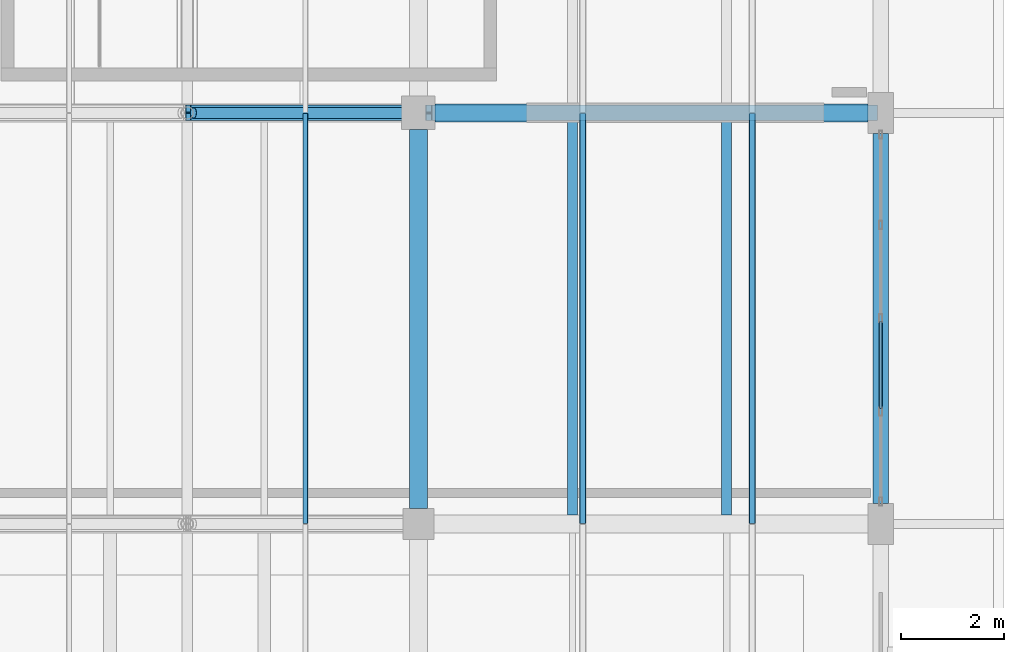
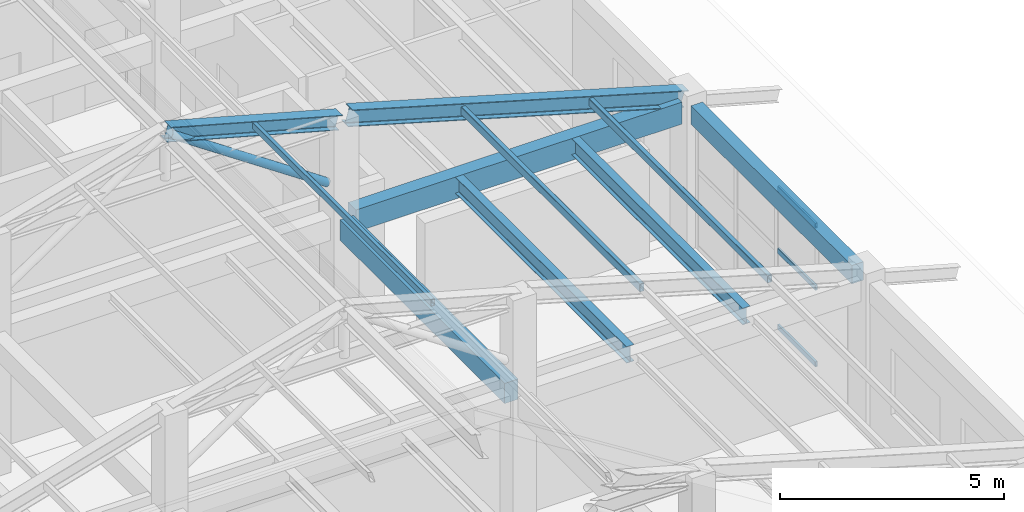
# One storey, part 34 of 58: 7 beams, 7 members, 1 element without a shape of its own.
"""IFC4 building model written with IfcOpenShell, lengths in metres."""

from ifc_helpers import new_model, si_unit, derived_unit, direction, frame, origin, origin_2d, place, context, subcontext, project, spatial, rectangle, hollow_rectangle, hollow_circle, i_section, extrude, material, material_profile, profile_set, type_object, element, aggregate, save


model = new_model("IFC4")

# Units and contexts
model_context = context("Model", 3, precision=1e-05, world=origin(), true_north=direction((0.0, 1.0)))
body_context = subcontext(model_context, "Body", "Model", "MODEL_VIEW")
ifc_project = project(units=[si_unit("LENGTHUNIT", "METRE"), si_unit("AREAUNIT", "SQUARE_METRE"), si_unit("VOLUMEUNIT", "CUBIC_METRE"), si_unit("PLANEANGLEUNIT", "RADIAN"), si_unit("MASSUNIT", "GRAM", prefix="KILO"), derived_unit("THERMALTRANSMITTANCEUNIT", [(si_unit("MASSUNIT", "GRAM", prefix="KILO"), 1), (si_unit("TIMEUNIT", "SECOND"), -3), (si_unit("THERMODYNAMICTEMPERATUREUNIT", "KELVIN"), -1)])], contexts=[model_context])

# Site, building, storey
site_placement = place(None, origin())
site = spatial("IfcSite", under=ifc_project, at=site_placement, CompositionType="ELEMENT")
building_placement = place(site_placement, origin())
building = spatial("IfcBuilding", under=site, at=building_placement, Name="Zhenchuan Archway Interchange", CompositionType="ELEMENT")
storey_placement = place(building_placement, frame((0.0, 0.0, 22.800048828125)))
storey = spatial("IfcBuildingStorey", under=building, at=storey_placement, Name="L05", CompositionType="ELEMENT", Elevation=22.800048828125)

# Beams
ifc_material_1 = material(Name="Concrete C40", Category="concrete")
ifc_material_profile_1 = material_profile(ifc_material_1, rectangle(XDim=0.35009765625, YDim=0.550048828125, at=origin_2d()), Name="RC 350x550")
ifc_profile_set_1 = profile_set([ifc_material_profile_1], Name="Concrete C40")
beam_type_1 = type_object("IfcBeamType", Name="BM_RC_350x550", PredefinedType="BEAM", material=ifc_profile_set_1)
beam_1_placement = place(storey_placement, frame((162.0, 40.300048828125, 3.64501953125), z_axis=(0.0, 1.0, 0.0), x_axis=(-1.0, 0.0, 0.0)))
element("IfcBeam", 1, at=beam_1_placement, inside=storey, type_object=beam_type_1, Name="Beam 19:F-G (L05)", PredefinedType="BEAM", context=body_context, shape_type="SweptSolid", body=[
    extrude(rectangle(XDim=0.35009765625, YDim=0.550048828125, at=origin_2d()), origin(), (0.0, 0.0, 1.0), 7.375),
])
ifc_material_profile_2 = material_profile(ifc_material_1, rectangle(XDim=0.35009765625, YDim=0.60009765625, at=origin_2d()), Name="RC 350x600")
ifc_profile_set_2 = profile_set([ifc_material_profile_2], Name="Concrete C40")
beam_type_2 = type_object("IfcBeamType", Name="BM_RC_350x600", PredefinedType="BEAM", material=ifc_profile_set_2)
beam_2_placement = place(storey_placement, frame((162.324951171875, 48.0, 3.619873046875), z_axis=(1.0, 0.0, 0.0), x_axis=(0.0, 1.0, 0.0)))
element("IfcBeam", 2, at=beam_2_placement, inside=storey, type_object=beam_type_2, Name="Beam G:19-20 (L05)", PredefinedType="BEAM", context=body_context, shape_type="SweptSolid", body=[
    extrude(rectangle(XDim=0.35009765625, YDim=0.60009765625, at=origin_2d()), origin(), (0.0, 0.0, 1.0), 8.425048828125),
])
ifc_material_2 = material(Name="Steel Q355", Category="steel")
ifc_material_profile_3 = material_profile(ifc_material_2, i_section(OverallWidth=0.300048828125, OverallDepth=0.389892578125, WebThickness=0.010009765625, FlangeThickness=0.01611328125, FilletRadius=0.02001953125, at=origin_2d()), Name="HM 390x300")
ifc_profile_set_3 = profile_set([ifc_material_profile_3], Name="Steel Q355")
beam_type_3 = type_object("IfcBeamType", Name="BM_STL_HM390", PredefinedType="BEAM", material=ifc_profile_set_3)
beam_3_placement = place(storey_placement, frame((157.52001953125, 48.0, 7.639892578125), z_axis=(0.964108539649, 0.0, -0.265508425055), x_axis=(0.0, 1.0, 0.0)))
element("IfcBeam", 3, at=beam_3_placement, inside=storey, type_object=beam_type_3, Name="ROOF TRUSS command wing T4 east apex rafter", PredefinedType="BEAM", context=body_context, shape_type="SweptSolid", body=[
    extrude(i_section(OverallWidth=0.300048828125, OverallDepth=0.389892578125, WebThickness=0.010009765625, FlangeThickness=0.01611328125, FilletRadius=0.02001953125, at=origin_2d()), origin(), (0.0, 0.0, 1.0), 4.5947265625),
])
ifc_material_profile_4 = material_profile(ifc_material_2, i_section(OverallWidth=0.300048828125, OverallDepth=0.43994140625, WebThickness=0.010986328125, FlangeThickness=0.01806640625, FilletRadius=0.02197265625, at=origin_2d()), Name="HM 440x300")
ifc_profile_set_4 = profile_set([ifc_material_profile_4], Name="Steel Q355")
beam_type_4 = type_object("IfcBeamType", Name="BM_STL_HM440", PredefinedType="BEAM", material=ifc_profile_set_4)
beam_4_placement = place(storey_placement, frame((162.199951171875, 48.0, 6.449951171875), z_axis=(0.960641143949, 0.0, -0.277792355102), x_axis=(0.0, 1.0, 0.0)))
element("IfcBeam", 4, at=beam_4_placement, inside=storey, type_object=beam_type_4, Name="ROOF TRUSS command wing T4 east lower rafter", PredefinedType="BEAM", context=body_context, shape_type="SweptSolid", body=[
    extrude(i_section(OverallWidth=0.300048828125, OverallDepth=0.43994140625, WebThickness=0.010986328125, FlangeThickness=0.01806640625, FilletRadius=0.02197265625, at=origin_2d()), origin(), (0.0, 0.0, 1.0), 9.03564453125),
])

# Curtain wall, members
ifc_material_3 = material(Name="Anodised Aluminium", Category="aluminium")
curtain_wall_type = type_object("IfcCurtainWallType", Name="CW_UNIT_4", PredefinedType="NOTDEFINED", material=ifc_material_3)
curtain_wall_placement = place(storey_placement, origin())
curtain_wall = element("IfcCurtainWall", 5, at=curtain_wall_placement, inside=storey, type_object=curtain_wall_type, Name="Unitised curtain wall CW:L05:207", PredefinedType="NOTDEFINED")
ifc_material_profile_5 = material_profile(ifc_material_3, hollow_rectangle(XDim=0.06005859375, YDim=0.139892578125, WallThickness=0.00341796875, InnerFilletRadius=0.00341796875, OuterFilletRadius=0.007080078125, at=origin_2d()), Name="ALU 140x60x3.5")
ifc_profile_set_5 = profile_set([ifc_material_profile_5], Name="Anodised Aluminium")
member_type_1 = type_object("IfcMemberType", Name="CW_TRN_140", PredefinedType="USERDEFINED", material=ifc_profile_set_5)
member_1_placement = place(storey_placement, frame((171.0, 43.93994140625, 0.06005859375), z_axis=(0.0, -1.0, 0.0), x_axis=(1.0, 0.0, 0.0)))
member_1 = element("IfcMember", 6, at=member_1_placement, type_object=member_type_1, Name="CW:L05:207 transom 2-1", ObjectType="TRANSOM", PredefinedType="USERDEFINED", context=body_context, shape_type="SweptSolid", body=[
    extrude(hollow_rectangle(XDim=0.06005859375, YDim=0.139892578125, WallThickness=0.00341796875, InnerFilletRadius=0.00341796875, OuterFilletRadius=0.007080078125, at=origin_2d()), origin(), (0.0, 0.0, 1.0), 1.696044921875),
])
member_2_placement = place(storey_placement, frame((171.0, 43.93994140625, 2.14501953125), z_axis=(0.0, -1.0, 0.0), x_axis=(1.0, 0.0, 0.0)))
member_2 = element("IfcMember", 7, at=member_2_placement, type_object=member_type_1, Name="CW:L05:207 transom 2-2", ObjectType="TRANSOM", PredefinedType="USERDEFINED", context=body_context, shape_type="SweptSolid", body=[
    extrude(hollow_rectangle(XDim=0.06005859375, YDim=0.139892578125, WallThickness=0.00341796875, InnerFilletRadius=0.00341796875, OuterFilletRadius=0.007080078125, at=origin_2d()), origin(), (0.0, 0.0, 1.0), 1.696044921875),
])
member_3_placement = place(storey_placement, frame((171.0, 43.93994140625, 3.83984375), z_axis=(0.0, -1.0, 0.0), x_axis=(1.0, 0.0, 0.0)))
member_3 = element("IfcMember", 8, at=member_3_placement, type_object=member_type_1, Name="CW:L05:207 transom 2-3", ObjectType="TRANSOM", PredefinedType="USERDEFINED", context=body_context, shape_type="SweptSolid", body=[
    extrude(hollow_rectangle(XDim=0.06005859375, YDim=0.139892578125, WallThickness=0.00341796875, InnerFilletRadius=0.00341796875, OuterFilletRadius=0.007080078125, at=origin_2d()), origin(), (0.0, 0.0, 1.0), 1.696044921875),
])
aggregate(curtain_wall, [member_1, member_2, member_3])

# Beams
ifc_material_profile_6 = material_profile(ifc_material_2, i_section(OverallWidth=0.199951171875, OverallDepth=0.449951171875, WebThickness=0.009033203125, FlangeThickness=0.013916015625, FilletRadius=0.01806640625, at=origin_2d()), Name="HN 450x200")
ifc_profile_set_6 = profile_set([ifc_material_profile_6], Name="Steel Q355")
beam_type_5 = type_object("IfcBeamType", Name="JST_STL_HN450", PredefinedType="JOIST", material=ifc_profile_set_6)
for number, where, z_axis, x_axis, name in (
    (9, (165.0, 40.175048828125, 3.695068359375), (0.0, 1.0, 0.0), (-1.0, 0.0, 0.0), "Secondary joist 19-20/F-G #1 (L05)"),
    (10, (168.0, 40.175048828125, 3.695068359375), (0.0, 1.0, 0.0), (-1.0, 0.0, 0.0), "Secondary joist 19-20/F-G #2 (L05)"),
):
    element("IfcBeam", number, at=place(storey_placement, frame(where, z_axis=z_axis, x_axis=x_axis)), inside=storey, type_object=beam_type_5, Name=name, PredefinedType="JOIST", context=body_context, shape_type="SweptSolid", body=[
        extrude(i_section(OverallWidth=0.199951171875, OverallDepth=0.449951171875, WebThickness=0.009033203125, FlangeThickness=0.013916015625, FilletRadius=0.01806640625, at=origin_2d()), origin(), (0.0, 0.0, 1.0), 7.64990234375),
    ])

# Members
ifc_material_profile_7 = material_profile(ifc_material_2, hollow_circle(Radius=0.109619140625, WallThickness=0.008056640625, at=origin_2d()), Name="CHS 219x8")
ifc_profile_set_7 = profile_set([ifc_material_profile_7], Name="Steel Q355")
member_type_2 = type_object("IfcMemberType", Name="MB_CHS219", PredefinedType="BRACE", material=ifc_profile_set_7)
member_4_placement = place(storey_placement, frame((161.679931640625, 48.0, 4.800048828125), z_axis=(-0.827937334182, 0.0, 0.560820622541), x_axis=(0.0, -1.0, 0.0)))
element("IfcMember", 11, at=member_4_placement, inside=storey, type_object=member_type_2, Name="ROOF TRUSS command wing T4 east apex diagonal", PredefinedType="BRACE", context=body_context, shape_type="SweptSolid", body=[
    extrude(hollow_circle(Radius=0.109619140625, WallThickness=0.008056640625, at=origin_2d()), origin(), (0.0, 0.0, 1.0), 4.903564453125),
])
ifc_material_profile_8 = material_profile(ifc_material_2, hollow_rectangle(XDim=0.10009765625, YDim=0.179931640625, WallThickness=0.006103515625, InnerFilletRadius=0.006103515625, OuterFilletRadius=0.011962890625, at=origin_2d()), Name="RHS 180x100x6")
ifc_profile_set_8 = profile_set([ifc_material_profile_8], Name="Steel Q355")
member_type_3 = type_object("IfcMemberType", Name="MB_RHS180", PredefinedType="PURLIN", material=ifc_profile_set_8)
member_5_placement = place(storey_placement, frame((159.800048828125, 40.008056640625, 7.02001953125), z_axis=(0.0, 1.0, 0.0), x_axis=(-1.0, 0.0, 0.0)))
element("IfcMember", 12, at=member_5_placement, inside=storey, type_object=member_type_3, Name="Command wing roof purlin B3-P4", PredefinedType="PURLIN", context=body_context, shape_type="SweptSolid", body=[
    extrude(hollow_rectangle(XDim=0.10009765625, YDim=0.179931640625, WallThickness=0.006103515625, InnerFilletRadius=0.006103515625, OuterFilletRadius=0.011962890625, at=origin_2d()), origin(), (0.0, 0.0, 1.0), 7.98388671875),
])
ifc_material_profile_9 = material_profile(ifc_material_2, hollow_rectangle(XDim=0.1201171875, YDim=0.199951171875, WallThickness=0.008056640625, InnerFilletRadius=0.008056640625, OuterFilletRadius=0.01611328125, at=origin_2d()), Name="RHS 200x120x8")
ifc_profile_set_9 = profile_set([ifc_material_profile_9], Name="Steel Q355")
member_type_4 = type_object("IfcMemberType", Name="MB_RHS200", PredefinedType="PURLIN", material=ifc_profile_set_9)
member_6_placement = place(storey_placement, frame((168.5, 40.008056640625, 4.619873046875), z_axis=(0.0, 1.0, 0.0), x_axis=(-1.0, 0.0, 0.0)))
element("IfcMember", 13, at=member_6_placement, inside=storey, type_object=member_type_4, Name="Command wing roof purlin B3-P6", PredefinedType="PURLIN", context=body_context, shape_type="SweptSolid", body=[
    extrude(hollow_rectangle(XDim=0.1201171875, YDim=0.199951171875, WallThickness=0.008056640625, InnerFilletRadius=0.008056640625, OuterFilletRadius=0.01611328125, at=origin_2d()), origin(), (0.0, 0.0, 1.0), 7.98388671875),
])
ifc_material_profile_10 = material_profile(ifc_material_2, hollow_rectangle(XDim=0.1201171875, YDim=0.219970703125, WallThickness=0.008056640625, InnerFilletRadius=0.008056640625, OuterFilletRadius=0.01611328125, at=origin_2d()), Name="RHS 220x120x8")
ifc_profile_set_10 = profile_set([ifc_material_profile_10], Name="Steel Q355")
member_type_5 = type_object("IfcMemberType", Name="MB_RHS220", PredefinedType="PURLIN", material=ifc_profile_set_10)
member_7_placement = place(storey_placement, frame((165.199951171875, 40.008056640625, 5.5400390625), z_axis=(0.0, 1.0, 0.0), x_axis=(-1.0, 0.0, 0.0)))
element("IfcMember", 14, at=member_7_placement, inside=storey, type_object=member_type_5, Name="Command wing roof purlin B3-P5", PredefinedType="PURLIN", context=body_context, shape_type="SweptSolid", body=[
    extrude(hollow_rectangle(XDim=0.1201171875, YDim=0.219970703125, WallThickness=0.008056640625, InnerFilletRadius=0.008056640625, OuterFilletRadius=0.01611328125, at=origin_2d()), origin(), (0.0, 0.0, 1.0), 7.98388671875),
])

# Beam
ifc_material_profile_11 = material_profile(ifc_material_1, rectangle(XDim=0.300048828125, YDim=0.5, at=origin_2d()), Name="RC 300x500")
ifc_profile_set_11 = profile_set([ifc_material_profile_11], Name="Concrete C40")
beam_type_6 = type_object("IfcBeamType", Name="SP_RC_300x500", PredefinedType="SPANDREL", material=ifc_profile_set_11)
beam_5_placement = place(storey_placement, frame((171.0, 40.39990234375, 3.669921875), z_axis=(0.0, 1.0, 0.0), x_axis=(-1.0, 0.0, 0.0)))
element("IfcBeam", 15, at=beam_5_placement, inside=storey, type_object=beam_type_6, Name="Beam 20:F-G (L05)", PredefinedType="SPANDREL", context=body_context, shape_type="SweptSolid", body=[
    extrude(rectangle(XDim=0.300048828125, YDim=0.5, at=origin_2d()), origin(), (0.0, 0.0, 1.0), 7.2001953125),
])

save(model, "model.ifc")
